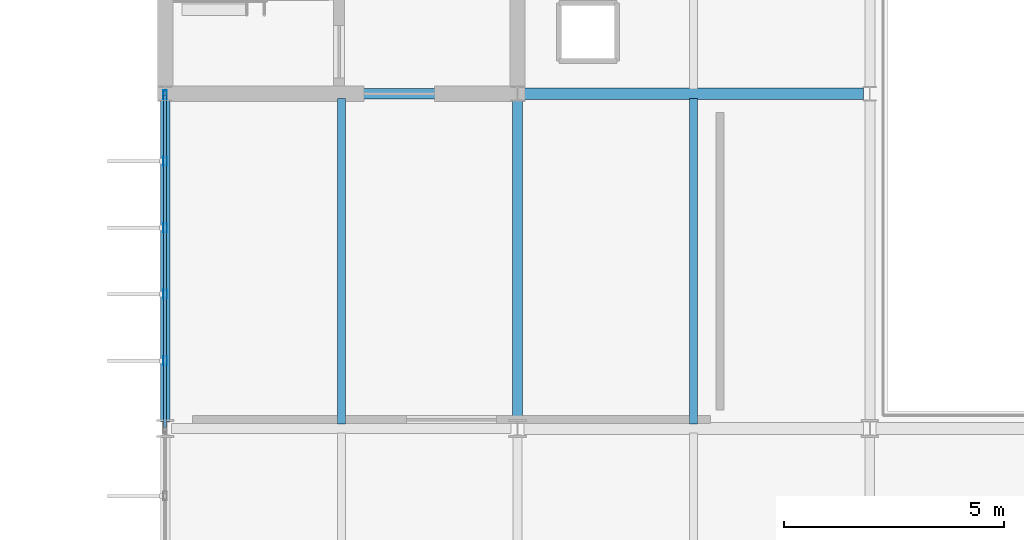
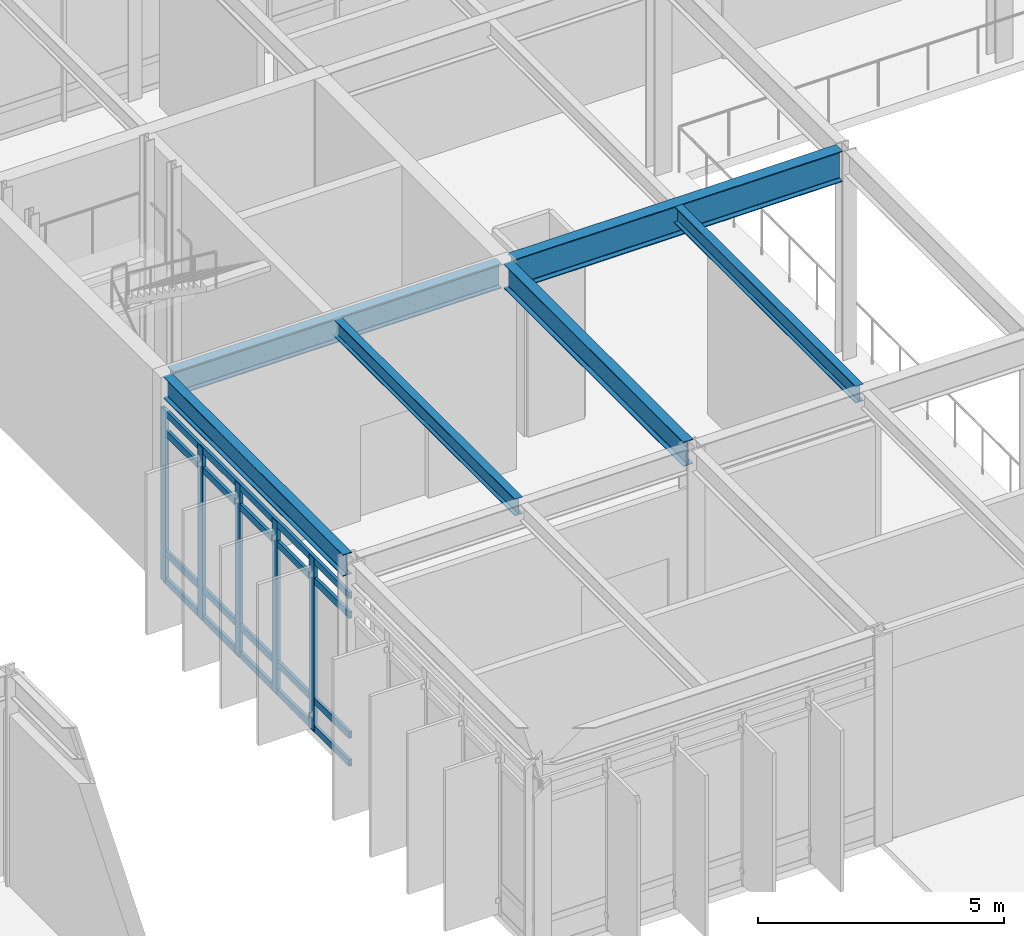
# One storey, part 35 of 94: 9 members, 6 beams, 1 element without a shape of its own.
"""IFC4 building model written with IfcOpenShell, lengths in metres."""

from ifc_helpers import new_model, si_unit, direction, frame, origin, origin_2d, place, context, subcontext, project, spatial, hollow_rectangle, i_section, extrude, material, material_profile, profile_set, type_object, element, aggregate, save


model = new_model("IFC4")

# Units and contexts
model_context = context("Model", 3, precision=1e-05, world=origin(), true_north=direction((0.0, 1.0)))
body_context = subcontext(model_context, "Body", "Model", "MODEL_VIEW")
ifc_project = project(units=[si_unit("LENGTHUNIT", "METRE"), si_unit("AREAUNIT", "SQUARE_METRE"), si_unit("VOLUMEUNIT", "CUBIC_METRE"), si_unit("PLANEANGLEUNIT", "RADIAN"), si_unit("MASSUNIT", "GRAM", prefix="KILO")], contexts=[model_context])

# Site, building, storey
site_placement = place(None, origin())
site = spatial("IfcSite", under=ifc_project, at=site_placement, CompositionType="ELEMENT")
building_placement = place(site_placement, origin())
building = spatial("IfcBuilding", under=site, at=building_placement, Name="Zulena Civic Courthouse", CompositionType="ELEMENT")
storey_placement = place(building_placement, frame((0.0, 0.0, 5.39990234375)))
storey = spatial("IfcBuildingStorey", under=building, at=storey_placement, Name="L01", CompositionType="ELEMENT", Elevation=5.39990234375)

# Curtain wall, members
ifc_material_1 = material(Name="Double-silver low-E laminated solar-control glass", Category="glass")
curtain_wall_type = type_object("IfcCurtainWallType", Name="CW_7552x4280", PredefinedType="USERDEFINED", material=ifc_material_1)
curtain_wall_placement = place(storey_placement, origin())
curtain_wall = element("IfcCurtainWall", 1, at=curtain_wall_placement, inside=storey, type_object=curtain_wall_type, Name="cw:V4:L01:0:1", ObjectType="UNITISED CURTAIN WALL", PredefinedType="USERDEFINED")
ifc_material_2 = material(Name="Bronze anodised thermally broken aluminium AA6063-T6", Category="aluminium")
ifc_material_profile_1 = material_profile(ifc_material_2, hollow_rectangle(XDim=0.080078125, YDim=0.199951171875, WallThickness=0.0048828125, at=origin_2d()), Name="CWM200X80X5")
ifc_profile_set_1 = profile_set([ifc_material_profile_1], Name="Bronze anodised thermally broken aluminium AA6063-T6")
member_type_1 = type_object("IfcMemberType", Name="CWMullion_200x80", PredefinedType="MULLION", material=ifc_profile_set_1)
member_1_placement = place(storey_placement, frame((68.0, 24.33447265625, 0.0), z_axis=(0.0, 0.0, 1.0), x_axis=(1.0, 0.0, 0.0)))
member_1 = element("IfcMember", 2, at=member_1_placement, type_object=member_type_1, Name="cw:V4:L01:0:1:mull:1", PredefinedType="MULLION", context=body_context, shape_type="SweptSolid", body=[
    extrude(hollow_rectangle(XDim=0.080078125, YDim=0.199951171875, WallThickness=0.0048828125, at=origin_2d()), origin(), (0.0, 0.0, 1.0), 4.280029296875),
])
member_2_placement = place(storey_placement, frame((68.0, 25.8447265625, 0.0), z_axis=(0.0, 0.0, 1.0), x_axis=(1.0, 0.0, 0.0)))
member_2 = element("IfcMember", 3, at=member_2_placement, type_object=member_type_1, Name="cw:V4:L01:0:1:mull:2", PredefinedType="MULLION", context=body_context, shape_type="SweptSolid", body=[
    extrude(hollow_rectangle(XDim=0.080078125, YDim=0.199951171875, WallThickness=0.0048828125, at=origin_2d()), origin(), (0.0, 0.0, 1.0), 4.280029296875),
])
member_3_placement = place(storey_placement, frame((68.0, 27.355224609375, 0.0), z_axis=(0.0, 0.0, 1.0), x_axis=(1.0, 0.0, 0.0)))
member_3 = element("IfcMember", 4, at=member_3_placement, type_object=member_type_1, Name="cw:V4:L01:0:1:mull:3", PredefinedType="MULLION", context=body_context, shape_type="SweptSolid", body=[
    extrude(hollow_rectangle(XDim=0.080078125, YDim=0.199951171875, WallThickness=0.0048828125, at=origin_2d()), origin(), (0.0, 0.0, 1.0), 4.280029296875),
])
member_4_placement = place(storey_placement, frame((68.0, 28.865478515625, 0.0), z_axis=(0.0, 0.0, 1.0), x_axis=(1.0, 0.0, 0.0)))
member_4 = element("IfcMember", 5, at=member_4_placement, type_object=member_type_1, Name="cw:V4:L01:0:1:mull:4", PredefinedType="MULLION", context=body_context, shape_type="SweptSolid", body=[
    extrude(hollow_rectangle(XDim=0.080078125, YDim=0.199951171875, WallThickness=0.0048828125, at=origin_2d()), origin(), (0.0, 0.0, 1.0), 4.280029296875),
])
member_5_placement = place(storey_placement, frame((68.0, 30.3759765625, 0.0), z_axis=(0.0, 0.0, 1.0), x_axis=(1.0, 0.0, 0.0)))
member_5 = element("IfcMember", 6, at=member_5_placement, type_object=member_type_1, Name="cw:V4:L01:0:1:mull:5", PredefinedType="MULLION", context=body_context, shape_type="SweptSolid", body=[
    extrude(hollow_rectangle(XDim=0.080078125, YDim=0.199951171875, WallThickness=0.0048828125, at=origin_2d()), origin(), (0.0, 0.0, 1.0), 4.280029296875),
])
ifc_material_profile_2 = material_profile(ifc_material_2, hollow_rectangle(XDim=0.070068359375, YDim=0.1650390625, WallThickness=0.00390625, at=origin_2d()), Name="CWT165X70X4")
ifc_profile_set_2 = profile_set([ifc_material_profile_2], Name="Bronze anodised thermally broken aluminium AA6063-T6")
member_type_2 = type_object("IfcMemberType", Name="CWTransom_165x70", PredefinedType="USERDEFINED", material=ifc_profile_set_2)
member_6_placement = place(storey_placement, frame((68.0, 22.823974609375, 0.06005859375), z_axis=(0.0, 1.0, 0.0), x_axis=(-1.0, 0.0, 0.0)))
member_6 = element("IfcMember", 7, at=member_6_placement, type_object=member_type_2, Name="cw:V4:L01:0:1:tran:0", ObjectType="TRANSOM", PredefinedType="USERDEFINED", context=body_context, shape_type="SweptSolid", body=[
    extrude(hollow_rectangle(XDim=0.070068359375, YDim=0.1650390625, WallThickness=0.00390625, at=origin_2d()), origin(), (0.0, 0.0, 1.0), 7.552001953125),
])
member_7_placement = place(storey_placement, frame((68.0, 22.823974609375, 0.75), z_axis=(0.0, 1.0, 0.0), x_axis=(-1.0, 0.0, 0.0)))
member_7 = element("IfcMember", 8, at=member_7_placement, type_object=member_type_2, Name="cw:V4:L01:0:1:tran:1", ObjectType="TRANSOM", PredefinedType="USERDEFINED", context=body_context, shape_type="SweptSolid", body=[
    extrude(hollow_rectangle(XDim=0.070068359375, YDim=0.1650390625, WallThickness=0.00390625, at=origin_2d()), origin(), (0.0, 0.0, 1.0), 7.552001953125),
])
member_8_placement = place(storey_placement, frame((68.0, 22.823974609375, 3.72998046875), z_axis=(0.0, 1.0, 0.0), x_axis=(-1.0, 0.0, 0.0)))
member_8 = element("IfcMember", 9, at=member_8_placement, type_object=member_type_2, Name="cw:V4:L01:0:1:tran:2", ObjectType="TRANSOM", PredefinedType="USERDEFINED", context=body_context, shape_type="SweptSolid", body=[
    extrude(hollow_rectangle(XDim=0.070068359375, YDim=0.1650390625, WallThickness=0.00390625, at=origin_2d()), origin(), (0.0, 0.0, 1.0), 7.552001953125),
])
member_9_placement = place(storey_placement, frame((68.0, 22.823974609375, 4.22021484375), z_axis=(0.0, 1.0, 0.0), x_axis=(-1.0, 0.0, 0.0)))
member_9 = element("IfcMember", 10, at=member_9_placement, type_object=member_type_2, Name="cw:V4:L01:0:1:tran:3", ObjectType="TRANSOM", PredefinedType="USERDEFINED", context=body_context, shape_type="SweptSolid", body=[
    extrude(hollow_rectangle(XDim=0.070068359375, YDim=0.1650390625, WallThickness=0.00390625, at=origin_2d()), origin(), (0.0, 0.0, 1.0), 7.552001953125),
])
aggregate(curtain_wall, [member_1, member_2, member_3, member_4, member_5, member_6, member_7, member_8, member_9])

# Beams
ifc_material_3 = material(Name="Steel ASTM A992 Grade 50", Category="steel")
ifc_material_profile_3 = material_profile(ifc_material_3, i_section(OverallWidth=0.22802734375, OverallDepth=0.60693359375, WebThickness=0.01123046875, FlangeThickness=0.017333984375, FilletRadius=0.0126953125, at=origin_2d()), Name="W24X76")
ifc_profile_set_3 = profile_set([ifc_material_profile_3], Name="Steel ASTM A992 Grade 50")
beam_type_1 = type_object("IfcBeamType", Name="Girder_W24X76", PredefinedType="BEAM", material=ifc_profile_set_3)
beam_1_placement = place(storey_placement, frame((76.0, 22.945068359375, 4.881591796875), z_axis=(0.0, 1.0, 0.0), x_axis=(-1.0, 0.0, 0.0)))
element("IfcBeam", 11, at=beam_1_placement, inside=storey, type_object=beam_type_1, Name="beam:Y:V4:L01:76.0:22.8_30.4", PredefinedType="BEAM", context=body_context, shape_type="SweptSolid", body=[
    extrude(i_section(OverallWidth=0.22802734375, OverallDepth=0.60693359375, WebThickness=0.01123046875, FlangeThickness=0.017333984375, FilletRadius=0.0126953125, at=origin_2d()), origin(), (0.0, 0.0, 1.0), 7.309814453125),
])
ifc_material_profile_4 = material_profile(ifc_material_3, i_section(OverallWidth=0.26708984375, OverallDepth=0.761962890625, WebThickness=0.014404296875, FlangeThickness=0.021484375, FilletRadius=0.0166015625, at=origin_2d()), Name="W30X116")
ifc_profile_set_4 = profile_set([ifc_material_profile_4], Name="Steel ASTM A992 Grade 50")
beam_type_2 = type_object("IfcBeamType", Name="Girder_W30X116", PredefinedType="BEAM", material=ifc_profile_set_4)
beam_2_placement = place(storey_placement, frame((76.14501953125, 30.39990234375, 4.80419921875), z_axis=(1.0, 0.0, 0.0), x_axis=(0.0, 1.0, 0.0)))
element("IfcBeam", 12, at=beam_2_placement, inside=storey, type_object=beam_type_2, Name="beam:X:V4:L01:30.4:76.0_84.0", PredefinedType="BEAM", context=body_context, shape_type="SweptSolid", body=[
    extrude(i_section(OverallWidth=0.26708984375, OverallDepth=0.761962890625, WebThickness=0.014404296875, FlangeThickness=0.021484375, FilletRadius=0.0166015625, at=origin_2d()), origin(), (0.0, 0.0, 1.0), 7.7099609375),
])
ifc_material_profile_5 = material_profile(ifc_material_3, i_section(OverallWidth=0.180908203125, OverallDepth=0.4169921875, WebThickness=0.010986328125, FlangeThickness=0.018310546875, FilletRadius=0.01025390625, at=origin_2d()), Name="W16X57")
ifc_profile_set_5 = profile_set([ifc_material_profile_5], Name="Steel ASTM A992 Grade 50")
beam_type_3 = type_object("IfcBeamType", Name="Joist_W16X57", PredefinedType="JOIST", material=ifc_profile_set_5)
for number, where, z_axis, x_axis, name in (
    (13, (72.0, 22.905029296875, 4.9765625), (0.0, 1.0, 0.0), (-1.0, 0.0, 0.0), "joist:V4:L01:72.00:22.8_30.4"),
    (14, (80.0, 22.905029296875, 4.9765625), (0.0, 1.0, 0.0), (-1.0, 0.0, 0.0), "joist:V4:L01:80.00:22.8_30.4"),
):
    element("IfcBeam", number, at=place(storey_placement, frame(where, z_axis=z_axis, x_axis=x_axis)), inside=storey, type_object=beam_type_3, Name=name, PredefinedType="JOIST", context=body_context, shape_type="SweptSolid", body=[
        extrude(i_section(OverallWidth=0.180908203125, OverallDepth=0.4169921875, WebThickness=0.010986328125, FlangeThickness=0.018310546875, FilletRadius=0.01025390625, at=origin_2d()), origin(), (0.0, 0.0, 1.0), 7.389892578125),
    ])
ifc_material_profile_6 = material_profile(ifc_material_3, i_section(OverallWidth=0.2099609375, OverallDepth=0.537109375, WebThickness=0.010986328125, FlangeThickness=0.017333984375, FilletRadius=0.0126953125, at=origin_2d()), Name="W21X68")
ifc_profile_set_6 = profile_set([ifc_material_profile_6], Name="Steel ASTM A992 Grade 50")
beam_type_4 = type_object("IfcBeamType", Name="Spandrel_W21X68", PredefinedType="SPANDREL", material=ifc_profile_set_6)
beam_3_placement = place(storey_placement, frame((68.0, 22.945068359375, 4.91650390625), z_axis=(0.0, 1.0, 0.0), x_axis=(-1.0, 0.0, 0.0)))
element("IfcBeam", 15, at=beam_3_placement, inside=storey, type_object=beam_type_4, Name="beam:Y:V4:L01:68.0:22.8_30.4", PredefinedType="SPANDREL", context=body_context, shape_type="SweptSolid", body=[
    extrude(i_section(OverallWidth=0.2099609375, OverallDepth=0.537109375, WebThickness=0.010986328125, FlangeThickness=0.017333984375, FilletRadius=0.0126953125, at=origin_2d()), origin(), (0.0, 0.0, 1.0), 7.309814453125),
])
ifc_material_profile_7 = material_profile(ifc_material_3, i_section(OverallWidth=0.22998046875, OverallDepth=0.616943359375, WebThickness=0.01318359375, FlangeThickness=0.022216796875, FilletRadius=0.0126953125, at=origin_2d()), Name="W24X94")
ifc_profile_set_7 = profile_set([ifc_material_profile_7], Name="Steel ASTM A992 Grade 50")
beam_type_5 = type_object("IfcBeamType", Name="Spandrel_W24X94", PredefinedType="SPANDREL", material=ifc_profile_set_7)
beam_4_placement = place(storey_placement, frame((68.14501953125, 30.39990234375, 4.876708984375), z_axis=(1.0, 0.0, 0.0), x_axis=(0.0, 1.0, 0.0)))
element("IfcBeam", 16, at=beam_4_placement, inside=storey, type_object=beam_type_5, Name="beam:X:V4:L01:30.4:68.0_76.0", PredefinedType="SPANDREL", context=body_context, shape_type="SweptSolid", body=[
    extrude(i_section(OverallWidth=0.22998046875, OverallDepth=0.616943359375, WebThickness=0.01318359375, FlangeThickness=0.022216796875, FilletRadius=0.0126953125, at=origin_2d()), origin(), (0.0, 0.0, 1.0), 7.7099609375),
])

save(model, "model.ifc")
